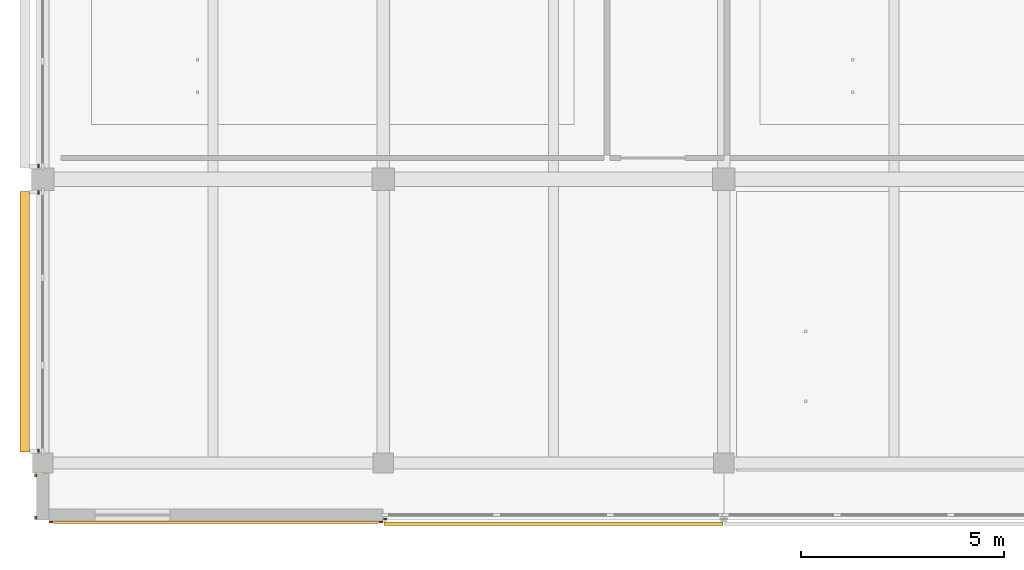
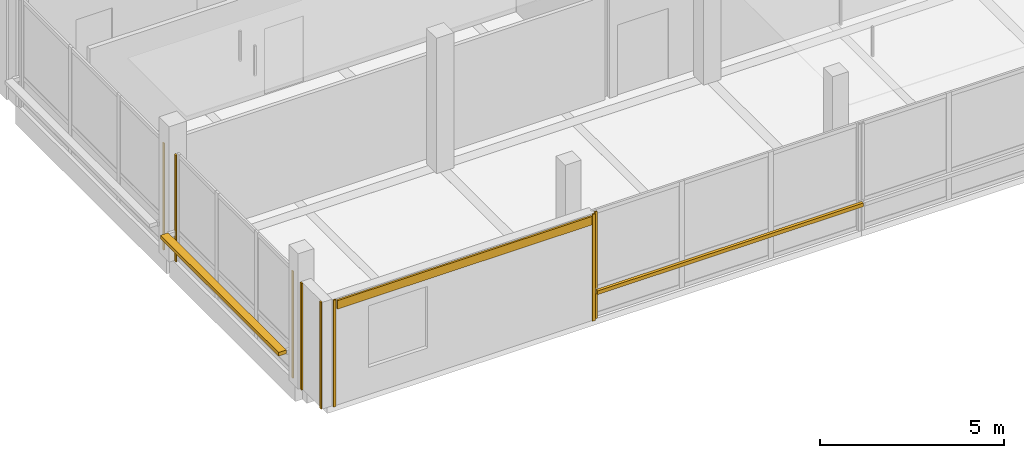
# One storey, part 13 of 20: 9 coverings, 2 shading devices.
"""IFC4 building model written with IfcOpenShell, lengths in metres."""

from ifc_helpers import new_model, si_unit, direction, frame, origin, origin_2d, place, context, subcontext, project, spatial, rectangle, extrude, material, layer, layer_set, type_object, element, save


model = new_model("IFC4")

# Units and contexts
model_context = context("Model", 3, precision=1e-05, world=origin(), true_north=direction((0.0, 1.0)))
body_context = subcontext(model_context, "Body", "Model", "MODEL_VIEW")
ifc_project = project(units=[si_unit("LENGTHUNIT", "METRE"), si_unit("AREAUNIT", "SQUARE_METRE"), si_unit("VOLUMEUNIT", "CUBIC_METRE"), si_unit("PLANEANGLEUNIT", "RADIAN"), si_unit("MASSUNIT", "GRAM", prefix="KILO")], contexts=[model_context])

# Site, building, storey
site_placement = place(None, origin())
site = spatial("IfcSite", under=ifc_project, at=site_placement, CompositionType="ELEMENT")
building_placement = place(site_placement, origin())
building = spatial("IfcBuilding", under=site, at=building_placement, Name="Telukmera Botanical Conservatory", CompositionType="ELEMENT")
storey_placement = place(building_placement, frame((0.0, 0.0, 69.0)))
storey = spatial("IfcBuildingStorey", under=building, at=storey_placement, Name="L15", CompositionType="ELEMENT", Elevation=69.0)

# Coverings
ifc_material_1 = material(Name="Granite-faced precast concrete C40/50", Category="masonry")
ifc_layer_1 = layer(ifc_material_1, 0.0400390625)
ifc_layer_set_1 = layer_set([ifc_layer_1], Name="Granite-faced precast concrete C40/50")
covering_type_1 = type_object("IfcCoveringType", Name="Granite Precast Column Pier Reveal Casing", PredefinedType="CLADDING", material=ifc_layer_set_1)
for number, where, z_axis, x_axis, name in (
    (1, (58.6298828125, 9.25, 0.0), (0.0, 0.0, 1.0), (0.0, 1.0, 0.0), "Granite Pier Reveal V4:L15:SWC L"),
    (2, (58.6298828125, 10.298095703125, 0.0), (0.0, 0.0, 1.0), (0.0, 1.0, 0.0), "Granite Pier Reveal V4:L15:SWC R"),
    (3, (59.001953125, 9.14990234375, 0.0), (0.0, 0.0, 1.0), (1.0, 0.0, 0.0), "Granite Pier Reveal V4:L15:S1 L"),
    (4, (67.14794921875, 9.14990234375, 0.0), (0.0, 0.0, 1.0), (1.0, 0.0, 0.0), "Granite Pier Reveal V4:L15:S1 R"),
    (5, (67.251953125, 9.219970703125, 0.0), (0.0, 0.0, 1.0), (1.0, 0.0, 0.0), "Granite Pier Reveal V4:L15:S2 L"),
    (6, (58.699951171875, 10.902099609375, 0.0), (0.0, 0.0, 1.0), (0.0, 1.0, 0.0), "Granite Pier Reveal V4:L15:W1 L"),
    (7, (58.699951171875, 17.27294921875, 0.0), (0.0, 0.0, 1.0), (0.0, 1.0, 0.0), "Granite Pier Reveal V4:L15:W1 R"),
    (8, (58.699951171875, 17.927001953125, 0.0), (0.0, 0.0, 1.0), (0.0, 1.0, 0.0), "Granite Pier Reveal V4:L15:W2 L"),
):
    element("IfcCovering", number, at=place(storey_placement, frame(where, z_axis=z_axis, x_axis=x_axis)), inside=storey, type_object=covering_type_1, Name=name, PredefinedType="CLADDING", context=body_context, shape_type="SweptSolid", body=[
        extrude(rectangle(XDim=0.080078125, YDim=0.0400390625, at=origin_2d()), origin(), (0.0, 0.0, 1.0), 3.550048828125),
    ])

# Shading devices
ifc_material_2 = material(Name="Perforated terracotta-anodised aluminium 6063-T6", Category="masonry")
ifc_layer_2 = layer(ifc_material_2, 0.044921875)
ifc_layer_set_2 = layer_set([ifc_layer_2], Name="Perforated terracotta-anodised aluminium 6063-T6")
shading_device_type = type_object("IfcShadingDeviceType", Name="Perforated Terracotta Aluminium Monsoon Brise Soleil", PredefinedType="JALOUSIE", material=ifc_layer_set_2)
shading_device_1_placement = place(storey_placement, frame((71.39990234375, 9.10498046875, 0.889892578125), z_axis=(0.0, 0.0, 1.0), x_axis=(1.0, 0.0, 0.0)))
element("IfcShadingDevice", 9, at=shading_device_1_placement, inside=storey, type_object=shading_device_type, Name="Monsoon Shading BS01 V4:L15:S2", PredefinedType="JALOUSIE", context=body_context, shape_type="SweptSolid", body=[
    extrude(rectangle(XDim=8.35595703125, YDim=0.090087890625, at=origin_2d()), origin(), (0.0, 0.0, 1.0), 0.1201171875),
])
shading_device_2_placement = place(storey_placement, frame((58.360107421875, 14.08740234375, 0.889892578125), z_axis=(0.0, 0.0, 1.0), x_axis=(0.0, 1.0, 0.0)))
element("IfcShadingDevice", 10, at=shading_device_2_placement, inside=storey, type_object=shading_device_type, Name="Monsoon Shading BS01 V4:L15:W1", PredefinedType="JALOUSIE", context=body_context, shape_type="SweptSolid", body=[
    extrude(rectangle(XDim=6.430908203125, YDim=0.239990234375, at=origin_2d()), origin(), (0.0, 0.0, 1.0), 0.1201171875),
])

# Covering
ifc_material_3 = material(Name="Terracotta-faced precast concrete C40/50", Category="masonry")
ifc_layer_3 = layer(ifc_material_3, 0.06005859375)
ifc_layer_set_3 = layer_set([ifc_layer_3], Name="Terracotta-faced precast concrete C40/50")
covering_type_2 = type_object("IfcCoveringType", Name="Polychrome Terracotta Facade Band Cladding", PredefinedType="CLADDING", material=ifc_layer_set_3)
covering_placement = place(storey_placement, frame((63.074951171875, 9.139892578125, 3.22998046875), z_axis=(0.0, 0.0, 1.0), x_axis=(1.0, 0.0, 0.0)))
element("IfcCovering", 11, at=covering_placement, inside=storey, type_object=covering_type_2, Name="Polychrome Terracotta Band V4:L15:S1", PredefinedType="CLADDING", context=body_context, shape_type="SweptSolid", body=[
    extrude(rectangle(XDim=8.006103515625, YDim=0.06005859375, at=origin_2d()), origin(), (0.0, 0.0, 1.0), 0.280029296875),
])

save(model, "model.ifc")
